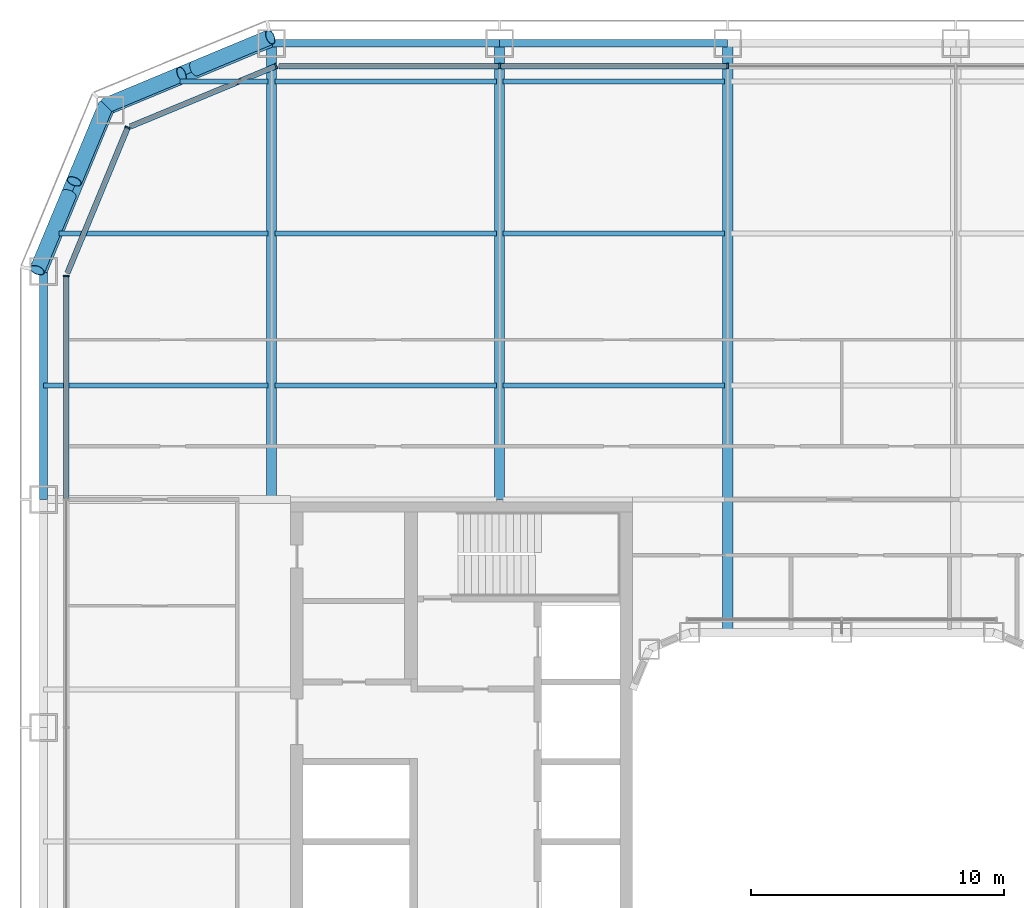
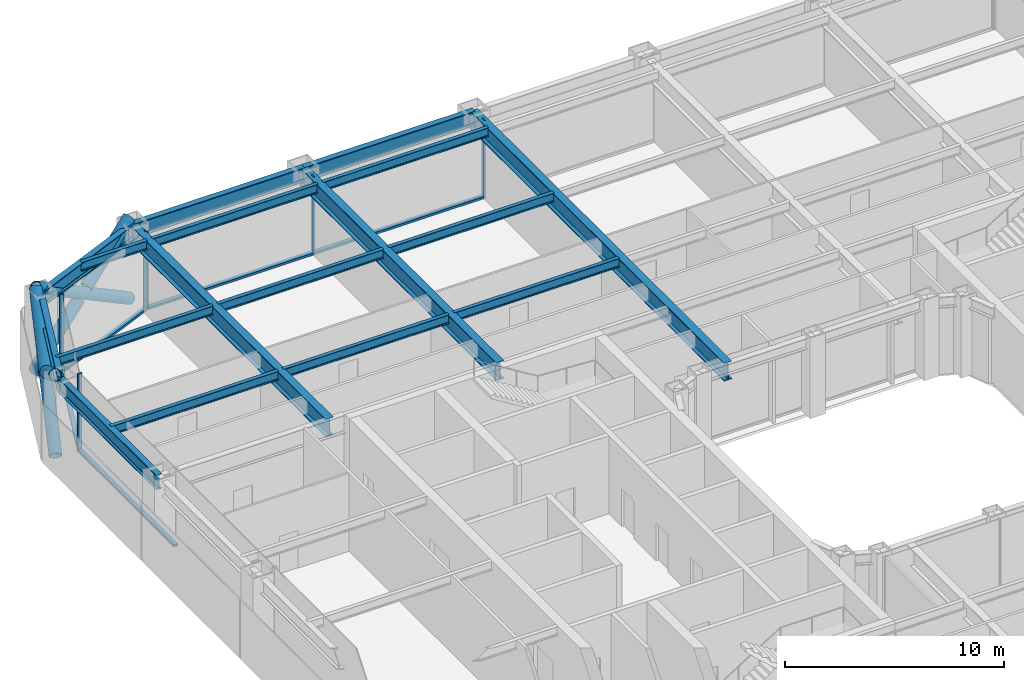
# One storey, part 7 of 24: 17 beams, 16 members, 4 elements without a shape of their own.
"""IFC4 building model written with IfcOpenShell, lengths in metres."""

from ifc_helpers import new_model, si_unit, direction, frame, origin, origin_2d, place, context, subcontext, project, spatial, rectangle, hollow_circle, i_section, extrude, material, layer, layer_set, material_profile, profile_set, type_object, element, aggregate, save


model = new_model("IFC4")

# Units and contexts
model_context = context("Model", 3, precision=1e-05, world=origin(), true_north=direction((0.0, 1.0)))
body_context = subcontext(model_context, "Body", "Model", "MODEL_VIEW")
ifc_project = project(units=[si_unit("LENGTHUNIT", "METRE"), si_unit("AREAUNIT", "SQUARE_METRE"), si_unit("VOLUMEUNIT", "CUBIC_METRE"), si_unit("PLANEANGLEUNIT", "RADIAN"), si_unit("MASSUNIT", "GRAM", prefix="KILO")], contexts=[model_context])

# Site, building, storey
site_placement = place(None, origin())
site = spatial("IfcSite", under=ifc_project, at=site_placement, CompositionType="ELEMENT")
building_placement = place(site_placement, origin())
building = spatial("IfcBuilding", under=site, at=building_placement, Name="Siwar Civic Tower", CompositionType="ELEMENT")
storey_placement = place(building_placement, frame((0.0, 0.0, 22.199951171875)))
storey = spatial("IfcBuildingStorey", under=building, at=storey_placement, Name="L04", CompositionType="ELEMENT", Elevation=22.199951171875)

# Curtain wall, members
ifc_material_1 = material(Name="Aluminium and glass", Category="aluminium")
ifc_layer_1 = layer(ifc_material_1, 0.219970703125)
ifc_layer_set_1 = layer_set([ifc_layer_1], Name="Aluminium and glass")
curtain_wall_type_1 = type_object("IfcCurtainWallType", Name="ENV-CW-A", PredefinedType="NOTDEFINED", material=ifc_layer_set_1)
curtain_wall_1_placement = place(storey_placement, origin())
curtain_wall_1 = element("IfcCurtainWall", 1, at=curtain_wall_1_placement, inside=storey, type_object=curtain_wall_type_1, Name="Curtain wall A N", PredefinedType="NOTDEFINED")
ifc_material_2 = material(Name="Aluminium 6063-T6", Category="aluminium")
ifc_material_profile_1 = material_profile(ifc_material_2, rectangle(XDim=0.219970703125, YDim=0.070068359375, at=origin_2d()), Name="AL 220x70")
ifc_profile_set_1 = profile_set([ifc_material_profile_1], Name="Aluminium 6063-T6")
member_type_1 = type_object("IfcMemberType", Name="ENV-MULLION-A", PredefinedType="MULLION", material=ifc_profile_set_1)
member_1_placement = place(storey_placement, frame((-4.5, 30.60009765625, 0.0), z_axis=(0.0, 0.0, 1.0), x_axis=(0.0, -1.0, 0.0)))
member_1 = element("IfcMember", 2, at=member_1_placement, type_object=member_type_1, Name="Mullion A N 4", PredefinedType="MULLION", context=body_context, shape_type="SweptSolid", body=[
    extrude(rectangle(XDim=0.219970703125, YDim=0.070068359375, at=origin_2d()), origin(), (0.0, 0.0, 1.0), 4.35009765625),
])
member_2_placement = place(storey_placement, frame((-13.5, 30.60009765625, 0.0), z_axis=(0.0, 0.0, 1.0), x_axis=(0.0, -1.0, 0.0)))
member_2 = element("IfcMember", 3, at=member_2_placement, type_object=member_type_1, Name="Mullion A N 5", PredefinedType="MULLION", context=body_context, shape_type="SweptSolid", body=[
    extrude(rectangle(XDim=0.219970703125, YDim=0.070068359375, at=origin_2d()), origin(), (0.0, 0.0, 1.0), 4.35009765625),
])

# Curtain wall, member
ifc_material_3 = material(Name="Aluminium clad insulated panel", Category="aluminium")
ifc_layer_2 = layer(ifc_material_3, 0.219970703125)
ifc_layer_set_2 = layer_set([ifc_layer_2], Name="Aluminium clad insulated panel")
curtain_wall_type_2 = type_object("IfcCurtainWallType", Name="ENV-CW-AX", PredefinedType="NOTDEFINED", material=ifc_layer_set_2)
curtain_wall_2_placement = place(storey_placement, origin())
curtain_wall_2 = element("IfcCurtainWall", 4, at=curtain_wall_2_placement, inside=storey, type_object=curtain_wall_type_2, Name="Curtain wall A NW1", PredefinedType="NOTDEFINED")
member_3_placement = place(storey_placement, frame((-22.321044921875, 30.60009765625, 0.0), z_axis=(0.0, 0.0, 1.0), x_axis=(0.382683432365, -0.923879532511, 0.0)))
member_3 = element("IfcMember", 5, at=member_3_placement, type_object=member_type_1, Name="Mullion A NW1 1", PredefinedType="MULLION", context=body_context, shape_type="SweptSolid", body=[
    extrude(rectangle(XDim=0.219970703125, YDim=0.070068359375, at=origin_2d()), origin(), (0.0, 0.0, 1.0), 4.35009765625),
])

curtain_wall_3_placement = place(storey_placement, origin())
curtain_wall_3 = element("IfcCurtainWall", 6, at=curtain_wall_3_placement, inside=storey, type_object=curtain_wall_type_2, Name="Curtain wall A NW2", PredefinedType="NOTDEFINED")
member_4_placement = place(storey_placement, frame((-28.175048828125, 28.175048828125, 0.0), z_axis=(0.0, 0.0, 1.0), x_axis=(0.923879532511, -0.382683432365, 0.0)))
member_4 = element("IfcMember", 7, at=member_4_placement, type_object=member_type_1, Name="Mullion A NW2 1", PredefinedType="MULLION", context=body_context, shape_type="SweptSolid", body=[
    extrude(rectangle(XDim=0.219970703125, YDim=0.070068359375, at=origin_2d()), origin(), (0.0, 0.0, 1.0), 4.35009765625),
])

curtain_wall_4_placement = place(storey_placement, origin())
curtain_wall_4 = element("IfcCurtainWall", 8, at=curtain_wall_4_placement, inside=storey, type_object=curtain_wall_type_1, Name="Curtain wall A W", PredefinedType="NOTDEFINED")
member_5_placement = place(storey_placement, frame((-30.60009765625, 22.321044921875, 0.0), z_axis=(0.0, 0.0, 1.0), x_axis=(1.0, 0.0, 0.0)))
member_5 = element("IfcMember", 9, at=member_5_placement, type_object=member_type_1, Name="Mullion A W 1", PredefinedType="MULLION", context=body_context, shape_type="SweptSolid", body=[
    extrude(rectangle(XDim=0.219970703125, YDim=0.070068359375, at=origin_2d()), origin(), (0.0, 0.0, 1.0), 4.35009765625),
])

# Member
ifc_material_4 = material(Name="Aluminium 6063-T6", Category="aluminium")
ifc_material_profile_2 = material_profile(ifc_material_4, rectangle(XDim=0.219970703125, YDim=0.1201171875, at=origin_2d()), Name="AL 220x120")
ifc_profile_set_2 = profile_set([ifc_material_profile_2], Name="Aluminium 6063-T6")
member_type_2 = type_object("IfcMemberType", Name="ENV-TRANSOM-A", PredefinedType="USERDEFINED", material=ifc_profile_set_2)
member_6_placement = place(storey_placement, frame((-4.534912109375, 30.60009765625, 0.06005859375), z_axis=(-1.0, 0.0, 0.0), x_axis=(0.0, -1.0, 0.0)))
member_6 = element("IfcMember", 10, at=member_6_placement, type_object=member_type_2, Name="Transom A N 4", ObjectType="TRANSOM", PredefinedType="USERDEFINED", context=body_context, shape_type="SweptSolid", body=[
    extrude(rectangle(XDim=0.219970703125, YDim=0.1201171875, at=origin_2d()), origin(), (0.0, 0.0, 1.0), 8.93017578125),
])

member_7_placement = place(storey_placement, frame((-13.534912109375, 30.60009765625, 0.06005859375), z_axis=(-1.0, 0.0, 0.0), x_axis=(0.0, -1.0, 0.0)))
member_7 = element("IfcMember", 11, at=member_7_placement, type_object=member_type_2, Name="Transom A N 5", ObjectType="TRANSOM", PredefinedType="USERDEFINED", context=body_context, shape_type="SweptSolid", body=[
    extrude(rectangle(XDim=0.219970703125, YDim=0.1201171875, at=origin_2d()), origin(), (0.0, 0.0, 1.0), 8.66357421875),
])

aggregate(curtain_wall_1, [member_1, member_2, member_6, member_7])

member_8_placement = place(storey_placement, frame((-22.353271484375, 30.586669921875, 0.06005859375), z_axis=(-0.923873326341, -0.382698415042, 0.0), x_axis=(0.382698415042, -0.923873326341, 0.0)))
member_8 = element("IfcMember", 12, at=member_8_placement, type_object=member_type_2, Name="Transom A NW1 1", ObjectType="TRANSOM", PredefinedType="USERDEFINED", context=body_context, shape_type="SweptSolid", body=[
    extrude(rectangle(XDim=0.219970703125, YDim=0.1201171875, at=origin_2d()), origin(), (0.0, 0.0, 1.0), 6.17919921875),
])

aggregate(curtain_wall_2, [member_3, member_8])

member_9_placement = place(storey_placement, frame((-28.1884765625, 28.142822265625, 0.06005859375), z_axis=(-0.382698415042, -0.923873326341, 0.0), x_axis=(0.923873326341, -0.382698415042, 0.0)))
member_9 = element("IfcMember", 13, at=member_9_placement, type_object=member_type_2, Name="Transom A NW2 1", ObjectType="TRANSOM", PredefinedType="USERDEFINED", context=body_context, shape_type="SweptSolid", body=[
    extrude(rectangle(XDim=0.219970703125, YDim=0.1201171875, at=origin_2d()), origin(), (0.0, 0.0, 1.0), 6.17919921875),
])

aggregate(curtain_wall_3, [member_4, member_9])

member_10_placement = place(storey_placement, frame((-30.60009765625, 22.285888671875, 0.06005859375), z_axis=(0.0, -1.0, 0.0), x_axis=(1.0, 0.0, 0.0)))
member_10 = element("IfcMember", 14, at=member_10_placement, type_object=member_type_2, Name="Transom A W 1", ObjectType="TRANSOM", PredefinedType="USERDEFINED", context=body_context, shape_type="SweptSolid", body=[
    extrude(rectangle(XDim=0.219970703125, YDim=0.1201171875, at=origin_2d()), origin(), (0.0, 0.0, 1.0), 8.7509765625),
])

aggregate(curtain_wall_4, [member_5, member_10])

# Members
ifc_material_5 = material(Name="Steel S355", Category="steel")
ifc_material_profile_3 = material_profile(ifc_material_5, hollow_circle(Radius=0.304931640625, WallThickness=0.030029296875, at=origin_2d()), Name="CHS610x30")
ifc_profile_set_3 = profile_set([ifc_material_profile_3], Name="Steel S355")
member_type_3 = type_object("IfcMemberType", Name="STR-BR-CHS610x30", PredefinedType="BRACE", material=ifc_profile_set_3)
member_11_placement = place(storey_placement, frame((-31.7451171875, 22.548828125, 0.0), z_axis=(0.323905527954, 0.777554562952, 0.538975055633), x_axis=(-0.923108759191, 0.384538969033, 0.0)))
element("IfcMember", 15, at=member_11_placement, inside=storey, type_object=member_type_3, Name="L04/brc/ANW1-3-0-1", PredefinedType="BRACE", context=body_context, shape_type="SweptSolid", body=[
    extrude(hollow_circle(Radius=0.304931640625, WallThickness=0.030029296875, at=origin_2d()), origin(), (0.0, 0.0, 1.0), 8.34912109375),
])
member_12_placement = place(storey_placement, frame((-29.040771484375, 29.040771484375, 0.0), z_axis=(-0.323922979564, -0.777542179573, 0.53898243227), x_axis=(0.923099230484, -0.384561842466, 0.0)))
element("IfcMember", 16, at=member_12_placement, inside=storey, type_object=member_type_3, Name="L04/brc/ANW1-3-0-2", PredefinedType="BRACE", context=body_context, shape_type="SweptSolid", body=[
    extrude(hollow_circle(Radius=0.304931640625, WallThickness=0.030029296875, at=origin_2d()), origin(), (0.0, 0.0, 1.0), 3.84375),
])
member_13_placement = place(storey_placement, frame((-30.500244140625, 25.537353515625, 2.428466796875), z_axis=(-0.3238932121, -0.777559680196, 0.53897507446), x_axis=(0.923114847559, -0.384524353215, 0.0)))
element("IfcMember", 17, at=member_13_placement, inside=storey, type_object=member_type_3, Name="L04/brc/ANW1-3-0-3", PredefinedType="BRACE", context=body_context, shape_type="SweptSolid", body=[
    extrude(hollow_circle(Radius=0.304931640625, WallThickness=0.030029296875, at=origin_2d()), origin(), (0.0, 0.0, 1.0), 3.843505859375),
])
member_14_placement = place(storey_placement, frame((-22.548828125, 31.7451171875, 0.0), z_axis=(-0.777554562952, -0.323905527954, 0.538975055633), x_axis=(0.384538969033, -0.923108759191, 0.0)))
element("IfcMember", 18, at=member_14_placement, inside=storey, type_object=member_type_3, Name="L04/brc/ANW1-3-0-0", PredefinedType="BRACE", context=body_context, shape_type="SweptSolid", body=[
    extrude(hollow_circle(Radius=0.304931640625, WallThickness=0.030029296875, at=origin_2d()), origin(), (0.0, 0.0, 1.0), 8.34912109375),
])
member_15_placement = place(storey_placement, frame((-29.040771484375, 29.040771484375, 0.0), z_axis=(0.777542179573, 0.323922979564, 0.53898243227), x_axis=(-0.384561842466, 0.923099230484, 0.0)))
element("IfcMember", 19, at=member_15_placement, inside=storey, type_object=member_type_3, Name="L04/brc/ANW1-3-0-4", PredefinedType="BRACE", context=body_context, shape_type="SweptSolid", body=[
    extrude(hollow_circle(Radius=0.304931640625, WallThickness=0.030029296875, at=origin_2d()), origin(), (0.0, 0.0, 1.0), 3.84375),
])
member_16_placement = place(storey_placement, frame((-25.537353515625, 30.500244140625, 2.428466796875), z_axis=(0.777559680196, 0.3238932121, 0.53897507446), x_axis=(-0.384524353215, 0.923114847559, 0.0)))
element("IfcMember", 20, at=member_16_placement, inside=storey, type_object=member_type_3, Name="L04/brc/ANW1-3-0-5", PredefinedType="BRACE", context=body_context, shape_type="SweptSolid", body=[
    extrude(hollow_circle(Radius=0.304931640625, WallThickness=0.030029296875, at=origin_2d()), origin(), (0.0, 0.0, 1.0), 3.843505859375),
])

# Beams
ifc_material_6 = material(Name="Steel S355", Category="steel")
ifc_material_profile_4 = material_profile(ifc_material_6, i_section(OverallWidth=0.199951171875, OverallDepth=0.5, WebThickness=0.01025390625, FlangeThickness=0.01611328125, FilletRadius=0.02099609375, at=origin_2d()), Name="IPE500")
ifc_profile_set_4 = profile_set([ifc_material_profile_4], Name="Steel S355")
beam_type_1 = type_object("IfcBeamType", Name="STR-FB-IPE500", PredefinedType="JOIST", material=ifc_profile_set_4)
beam_1_placement = place(storey_placement, frame((-31.5, 18.0, 4.10009765625), z_axis=(1.0, 0.0, 0.0), x_axis=(0.0, 1.0, 0.0)))
element("IfcBeam", 21, at=beam_1_placement, inside=storey, type_object=beam_type_1, Name="L04/bm/F046", PredefinedType="JOIST", context=body_context, shape_type="SweptSolid", body=[
    extrude(i_section(OverallWidth=0.199951171875, OverallDepth=0.5, WebThickness=0.01025390625, FlangeThickness=0.01611328125, FilletRadius=0.02099609375, at=origin_2d()), origin(), (0.0, 0.0, 1.0), 8.8701171875),
])
for number, where, z_axis, x_axis, name in (
    (22, (-22.3701171875, 18.0, 4.10009765625), (1.0, 0.0, 0.0), (0.0, 1.0, 0.0), "L04/bm/F047"),
    (23, (-13.3701171875, 18.0, 4.10009765625), (1.0, 0.0, 0.0), (0.0, 1.0, 0.0), "L04/bm/F048"),
):
    element("IfcBeam", number, at=place(storey_placement, frame(where, z_axis=z_axis, x_axis=x_axis)), inside=storey, type_object=beam_type_1, Name=name, PredefinedType="JOIST", context=body_context, shape_type="SweptSolid", body=[
        extrude(i_section(OverallWidth=0.199951171875, OverallDepth=0.5, WebThickness=0.01025390625, FlangeThickness=0.01611328125, FilletRadius=0.02099609375, at=origin_2d()), origin(), (0.0, 0.0, 1.0), 8.740234375),
    ])
beam_2_placement = place(storey_placement, frame((-30.878662109375, 24.0, 4.10009765625), z_axis=(1.0, 0.0, 0.0), x_axis=(0.0, 1.0, 0.0)))
element("IfcBeam", 24, at=beam_2_placement, inside=storey, type_object=beam_type_1, Name="L04/bm/F053", PredefinedType="JOIST", context=body_context, shape_type="SweptSolid", body=[
    extrude(i_section(OverallWidth=0.199951171875, OverallDepth=0.5, WebThickness=0.01025390625, FlangeThickness=0.01611328125, FilletRadius=0.02099609375, at=origin_2d()), origin(), (0.0, 0.0, 1.0), 8.248779296875),
])
for number, where, z_axis, x_axis, name in (
    (25, (-22.3701171875, 24.0, 4.10009765625), (1.0, 0.0, 0.0), (0.0, 1.0, 0.0), "L04/bm/F054"),
    (26, (-13.3701171875, 24.0, 4.10009765625), (1.0, 0.0, 0.0), (0.0, 1.0, 0.0), "L04/bm/F055"),
):
    element("IfcBeam", number, at=place(storey_placement, frame(where, z_axis=z_axis, x_axis=x_axis)), inside=storey, type_object=beam_type_1, Name=name, PredefinedType="JOIST", context=body_context, shape_type="SweptSolid", body=[
        extrude(i_section(OverallWidth=0.199951171875, OverallDepth=0.5, WebThickness=0.01025390625, FlangeThickness=0.01611328125, FilletRadius=0.02099609375, at=origin_2d()), origin(), (0.0, 0.0, 1.0), 8.740234375),
    ])
beam_3_placement = place(storey_placement, frame((-26.121337890625, 30.0, 4.10009765625), z_axis=(1.0, 0.0, 0.0), x_axis=(0.0, 1.0, 0.0)))
element("IfcBeam", 27, at=beam_3_placement, inside=storey, type_object=beam_type_1, Name="L04/bm/F060", PredefinedType="JOIST", context=body_context, shape_type="SweptSolid", body=[
    extrude(i_section(OverallWidth=0.199951171875, OverallDepth=0.5, WebThickness=0.01025390625, FlangeThickness=0.01611328125, FilletRadius=0.02099609375, at=origin_2d()), origin(), (0.0, 0.0, 1.0), 3.491455078125),
])
for number, where, z_axis, x_axis, name in (
    (28, (-22.3701171875, 30.0, 4.10009765625), (1.0, 0.0, 0.0), (0.0, 1.0, 0.0), "L04/bm/F061"),
    (29, (-13.3701171875, 30.0, 4.10009765625), (1.0, 0.0, 0.0), (0.0, 1.0, 0.0), "L04/bm/F062"),
):
    element("IfcBeam", number, at=place(storey_placement, frame(where, z_axis=z_axis, x_axis=x_axis)), inside=storey, type_object=beam_type_1, Name=name, PredefinedType="JOIST", context=body_context, shape_type="SweptSolid", body=[
        extrude(i_section(OverallWidth=0.199951171875, OverallDepth=0.5, WebThickness=0.01025390625, FlangeThickness=0.01611328125, FilletRadius=0.02099609375, at=origin_2d()), origin(), (0.0, 0.0, 1.0), 8.740234375),
    ])
ifc_material_7 = material(Name="Steel S355", Category="steel")
ifc_material_profile_5 = material_profile(ifc_material_7, i_section(OverallWidth=0.39990234375, OverallDepth=1.0, WebThickness=0.01611328125, FlangeThickness=0.0400390625, at=origin_2d()), Name="PG1000x400x16x40")
ifc_profile_set_5 = profile_set([ifc_material_profile_5], Name="Steel S355")
beam_type_2 = type_object("IfcBeamType", Name="STR-PG-PG1000x400x16x40", PredefinedType="BEAM", material=ifc_profile_set_5)
for number, where, z_axis, x_axis, name in (
    (30, (-22.5, 13.5, 3.85009765625), (0.0, 1.0, 0.0), (-1.0, 0.0, 0.0), "L04/bm/G02"),
    (31, (-13.5, 13.5, 3.85009765625), (0.0, 1.0, 0.0), (-1.0, 0.0, 0.0), "L04/bm/G04"),
):
    element("IfcBeam", number, at=place(storey_placement, frame(where, z_axis=z_axis, x_axis=x_axis)), inside=storey, type_object=beam_type_2, Name=name, PredefinedType="BEAM", context=body_context, shape_type="SweptSolid", body=[
        extrude(i_section(OverallWidth=0.39990234375, OverallDepth=1.0, WebThickness=0.01611328125, FlangeThickness=0.0400390625, at=origin_2d()), origin(), (0.0, 0.0, 1.0), 18.0),
    ])
beam_4_placement = place(storey_placement, frame((-4.5, 8.25, 3.85009765625), z_axis=(0.0, 1.0, 0.0), x_axis=(-1.0, 0.0, 0.0)))
element("IfcBeam", 32, at=beam_4_placement, inside=storey, type_object=beam_type_2, Name="L04/bm/G06", PredefinedType="BEAM", context=body_context, shape_type="SweptSolid", body=[
    extrude(i_section(OverallWidth=0.39990234375, OverallDepth=1.0, WebThickness=0.01611328125, FlangeThickness=0.0400390625, at=origin_2d()), origin(), (0.0, 0.0, 1.0), 23.25),
])
ifc_material_8 = material(Name="Steel S355", Category="steel")
ifc_material_profile_6 = material_profile(ifc_material_8, i_section(OverallWidth=0.302978515625, OverallDepth=0.81396484375, WebThickness=0.02099609375, FlangeThickness=0.0400390625, FilletRadius=0.030029296875, at=origin_2d()), Name="HEM800")
ifc_profile_set_6 = profile_set([ifc_material_profile_6], Name="Steel S355")
beam_type_3 = type_object("IfcBeamType", Name="STR-SB-HEM800", PredefinedType="BEAM", material=ifc_profile_set_6)
for number, where, z_axis, x_axis, name in (
    (33, (-4.5, 31.5, 3.943115234375), (-1.0, 0.0, 0.0), (0.0, -1.0, 0.0), "L04/bm/SN-3"),
    (34, (-13.5, 31.5, 3.943115234375), (-1.0, 0.0, 0.0), (0.0, -1.0, 0.0), "L04/bm/SN-4"),
):
    element("IfcBeam", number, at=place(storey_placement, frame(where, z_axis=z_axis, x_axis=x_axis)), inside=storey, type_object=beam_type_3, Name=name, PredefinedType="BEAM", context=body_context, shape_type="SweptSolid", body=[
        extrude(i_section(OverallWidth=0.302978515625, OverallDepth=0.81396484375, WebThickness=0.02099609375, FlangeThickness=0.0400390625, FilletRadius=0.030029296875, at=origin_2d()), origin(), (0.0, 0.0, 1.0), 9.0),
    ])
for number, where, z_axis, x_axis, name in (
    (35, (-22.5, 31.5, 3.943115234375), (-0.923883353507, -0.382674207535, 0.0), (0.382674207535, -0.923883353507, 0.0), "L04/bm/SNW1-0"),
    (36, (-28.864013671875, 28.864013671875, 3.943115234375), (-0.382674207535, -0.923883353507, 0.0), (0.923883353507, -0.382674207535, 0.0), "L04/bm/SNW2-0"),
):
    element("IfcBeam", number, at=place(storey_placement, frame(where, z_axis=z_axis, x_axis=x_axis)), inside=storey, type_object=beam_type_3, Name=name, PredefinedType="BEAM", context=body_context, shape_type="SweptSolid", body=[
        extrude(i_section(OverallWidth=0.302978515625, OverallDepth=0.81396484375, WebThickness=0.02099609375, FlangeThickness=0.0400390625, FilletRadius=0.030029296875, at=origin_2d()), origin(), (0.0, 0.0, 1.0), 6.888427734375),
    ])
beam_5_placement = place(storey_placement, frame((-31.5, 22.5, 3.943115234375), z_axis=(0.0, -1.0, 0.0), x_axis=(1.0, 0.0, 0.0)))
element("IfcBeam", 37, at=beam_5_placement, inside=storey, type_object=beam_type_3, Name="L04/bm/SW-0", PredefinedType="BEAM", context=body_context, shape_type="SweptSolid", body=[
    extrude(i_section(OverallWidth=0.302978515625, OverallDepth=0.81396484375, WebThickness=0.02099609375, FlangeThickness=0.0400390625, FilletRadius=0.030029296875, at=origin_2d()), origin(), (0.0, 0.0, 1.0), 9.0),
])

save(model, "model.ifc")
